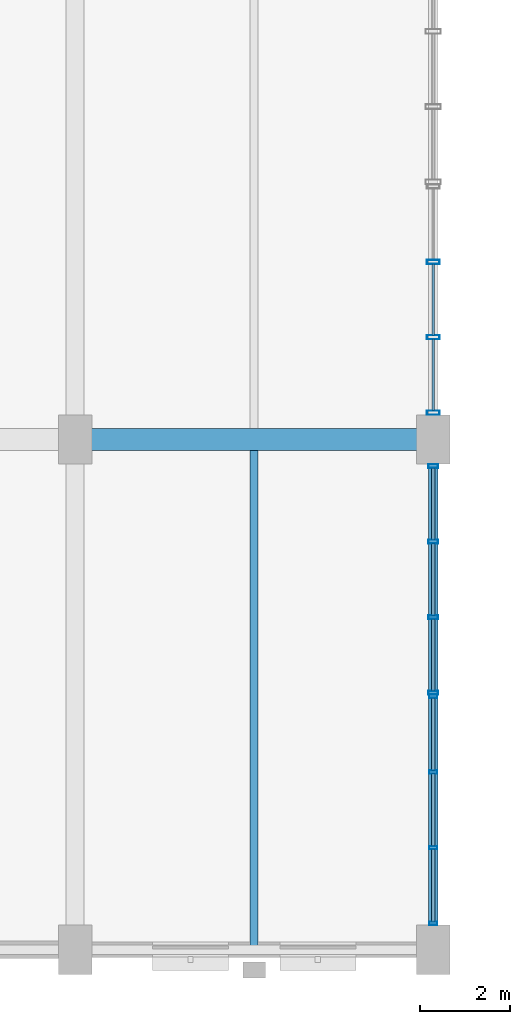
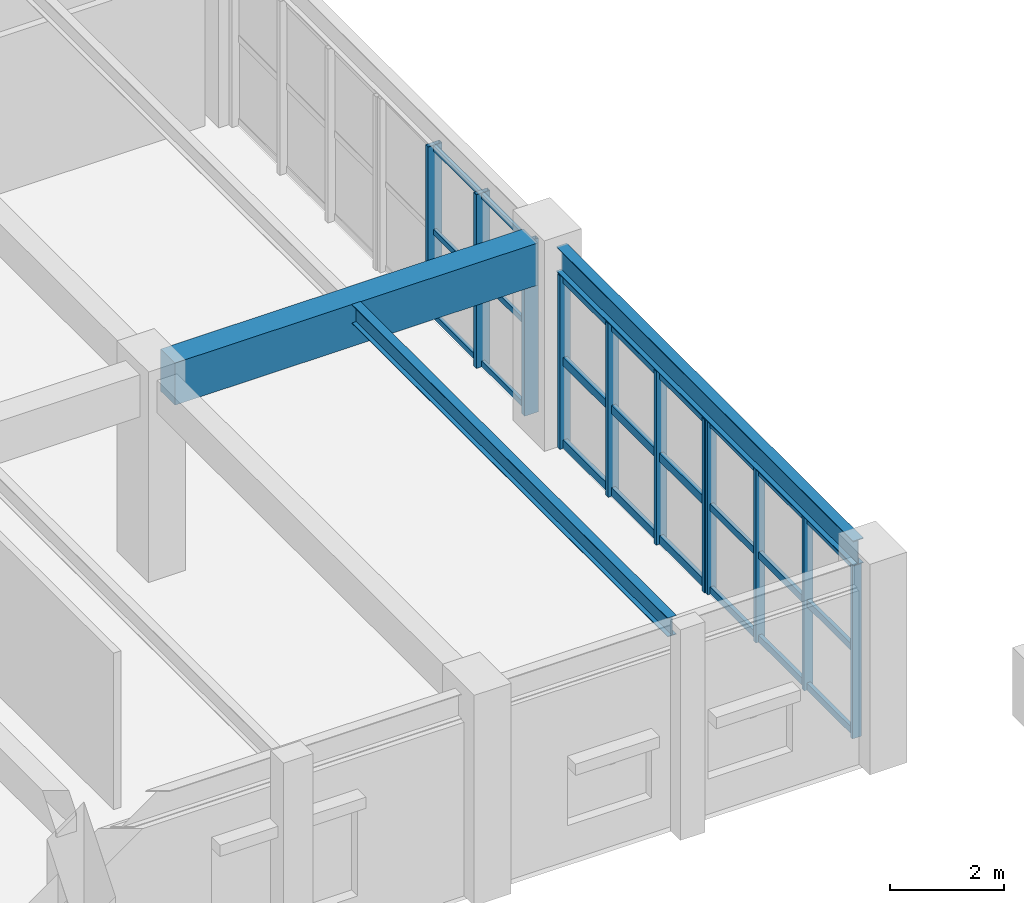
# One storey, part 10 of 80: 35 members, 3 beams, 3 elements without a shape of their own.
"""IFC4 building model written with IfcOpenShell, lengths in metres."""

from ifc_helpers import new_model, si_unit, direction, frame, origin, origin_2d, place, context, subcontext, project, spatial, rectangle, hollow_rectangle, i_section, extrude, material, layer, layer_set, material_profile, profile_set, type_object, element, aggregate, save


model = new_model("IFC4")

# Units and contexts
model_context = context("Model", 3, precision=1e-05, world=origin(), true_north=direction((0.0, 1.0)))
body_context = subcontext(model_context, "Body", "Model", "MODEL_VIEW")
ifc_project = project(units=[si_unit("LENGTHUNIT", "METRE"), si_unit("AREAUNIT", "SQUARE_METRE"), si_unit("VOLUMEUNIT", "CUBIC_METRE"), si_unit("PLANEANGLEUNIT", "RADIAN"), si_unit("MASSUNIT", "GRAM", prefix="KILO"), si_unit("POWERUNIT", "WATT"), si_unit("THERMODYNAMICTEMPERATUREUNIT", "KELVIN")], contexts=[model_context])

# Site, building, storey
site_placement = place(None, origin())
site = spatial("IfcSite", under=ifc_project, at=site_placement, CompositionType="ELEMENT")
building_placement = place(site_placement, origin())
building = spatial("IfcBuilding", under=site, at=building_placement, Name="Kelmbourne Parkland Aquatics Centre", CompositionType="ELEMENT")
storey_placement = place(building_placement, frame((0.0, 0.0, 10.199951171875)))
storey = spatial("IfcBuildingStorey", under=building, at=storey_placement, Name="L02", CompositionType="ELEMENT", Elevation=10.199951171875)

# Beams
ifc_material_1 = material(Name="Concrete C40/50", Category="concrete")
ifc_material_profile_1 = material_profile(ifc_material_1, rectangle(XDim=0.5, YDim=0.89990234375, at=origin_2d()), Name="RC 500x900")
ifc_profile_set_1 = profile_set([ifc_material_profile_1], Name="Concrete C40/50")
beam_type_1 = type_object("IfcBeamType", Name="BM-G03", PredefinedType="BEAM", material=ifc_profile_set_1)
beam_1_placement = place(storey_placement, frame((32.330078125, 12.199951171875, 3.81005859375), z_axis=(1.0, 0.0, 0.0), x_axis=(0.0, 1.0, 0.0)))
element("IfcBeam", 1, at=beam_1_placement, inside=storey, type_object=beam_type_1, Name="Primary girder E-F Grid 03 (L03)", PredefinedType="BEAM", context=body_context, shape_type="SweptSolid", body=[
    extrude(rectangle(XDim=0.5, YDim=0.89990234375, at=origin_2d()), origin(), (0.0, 0.0, 1.0), 7.33984375),
])
ifc_material_2 = material(Name="Structural steel AS/NZS 3679.1 Grade 300", Category="steel")
ifc_material_profile_2 = material_profile(ifc_material_2, i_section(OverallWidth=0.177978515625, OverallDepth=0.406005859375, WebThickness=0.0078125, FlangeThickness=0.0126953125, at=origin_2d()), Name="410UB59.7")
ifc_profile_set_2 = profile_set([ifc_material_profile_2], Name="Structural steel AS/NZS 3679.1 Grade 300")
beam_type_2 = type_object("IfcBeamType", Name="BM-J01", PredefinedType="JOIST", material=ifc_profile_set_2)
beam_2_placement = place(storey_placement, frame((36.0, 0.896484375, 4.05712890625), z_axis=(0.0, 1.0, 0.0), x_axis=(-1.0, 0.0, 0.0)))
element("IfcBeam", 2, at=beam_2_placement, inside=storey, type_object=beam_type_2, Name="Secondary floor joist E-F/01-03 #1 (L03)", PredefinedType="JOIST", context=body_context, shape_type="SweptSolid", body=[
    extrude(i_section(OverallWidth=0.177978515625, OverallDepth=0.406005859375, WebThickness=0.0078125, FlangeThickness=0.0126953125, at=origin_2d()), origin(), (0.0, 0.0, 1.0), 11.0615234375),
])
ifc_material_profile_3 = material_profile(ifc_material_2, i_section(OverallWidth=0.208984375, OverallDepth=0.532958984375, WebThickness=0.01025390625, FlangeThickness=0.015625, at=origin_2d()), Name="530UB92.4")
ifc_profile_set_3 = profile_set([ifc_material_profile_3], Name="Structural steel AS/NZS 3679.1 Grade 300")
beam_type_3 = type_object("IfcBeamType", Name="BM-SP02", PredefinedType="SPANDREL", material=ifc_profile_set_3)
beam_3_placement = place(storey_placement, frame((40.0, 1.304931640625, 3.99365234375), z_axis=(0.0, 1.0, 0.0), x_axis=(-1.0, 0.0, 0.0)))
element("IfcBeam", 3, at=beam_3_placement, inside=storey, type_object=beam_type_3, Name="Perimeter spandrel 01-03 Grid F (L03)", PredefinedType="SPANDREL", context=body_context, shape_type="SweptSolid", body=[
    extrude(i_section(OverallWidth=0.208984375, OverallDepth=0.532958984375, WebThickness=0.01025390625, FlangeThickness=0.015625, at=origin_2d()), origin(), (0.0, 0.0, 1.0), 10.39013671875),
])

# Curtain wall, members
ifc_material_3 = material(Name="Thermally broken anodised aluminium framing", Category="aluminium")
ifc_layer_1 = layer(ifc_material_3, 0.179931640625)
ifc_layer_set_1 = layer_set([ifc_layer_1], Name="Thermally broken anodised aluminium framing")
curtain_wall_type_1 = type_object("IfcCurtainWallType", Name="CW-01", PredefinedType="NOTDEFINED", material=ifc_layer_set_1)
curtain_wall_1_placement = place(storey_placement, origin())
curtain_wall_1 = element("IfcCurtainWall", 4, at=curtain_wall_1_placement, inside=storey, type_object=curtain_wall_type_1, Name="Facade curtain wall CW-L02-241", PredefinedType="NOTDEFINED")
ifc_material_profile_4 = material_profile(ifc_material_3, hollow_rectangle(XDim=0.074951171875, YDim=0.179931640625, WallThickness=0.00439453125, at=origin_2d()), Name="CW-M 75x180")
ifc_profile_set_4 = profile_set([ifc_material_profile_4], Name="Thermally broken anodised aluminium framing")
member_type_1 = type_object("IfcMemberType", Name="MB-MUL-2", PredefinedType="MULLION", material=ifc_profile_set_4)
member_1_placement = place(storey_placement, frame((40.0, 1.389404296875, 0.0), z_axis=(0.0, 0.0, 1.0), x_axis=(0.0, 1.0, 0.0)))
member_1 = element("IfcMember", 5, at=member_1_placement, type_object=member_type_1, Name="CW-L02-241 mullion 0", PredefinedType="MULLION", context=body_context, shape_type="SweptSolid", body=[
    extrude(hollow_rectangle(XDim=0.074951171875, YDim=0.179931640625, WallThickness=0.00439453125, at=origin_2d()), origin(), (0.0, 0.0, 1.0), 3.712158203125),
])
member_2_placement = place(storey_placement, frame((40.0, 3.08056640625, 0.0), z_axis=(0.0, 0.0, 1.0), x_axis=(0.0, 1.0, 0.0)))
member_2 = element("IfcMember", 6, at=member_2_placement, type_object=member_type_1, Name="CW-L02-241 mullion 1", PredefinedType="MULLION", context=body_context, shape_type="SweptSolid", body=[
    extrude(hollow_rectangle(XDim=0.074951171875, YDim=0.179931640625, WallThickness=0.00439453125, at=origin_2d()), origin(), (0.0, 0.0, 1.0), 3.712158203125),
])
member_3_placement = place(storey_placement, frame((40.0, 4.771484375, 0.0), z_axis=(0.0, 0.0, 1.0), x_axis=(0.0, 1.0, 0.0)))
member_3 = element("IfcMember", 7, at=member_3_placement, type_object=member_type_1, Name="CW-L02-241 mullion 2", PredefinedType="MULLION", context=body_context, shape_type="SweptSolid", body=[
    extrude(hollow_rectangle(XDim=0.074951171875, YDim=0.179931640625, WallThickness=0.00439453125, at=origin_2d()), origin(), (0.0, 0.0, 1.0), 3.712158203125),
])
member_4_placement = place(storey_placement, frame((40.0, 6.46240234375, 0.0), z_axis=(0.0, 0.0, 1.0), x_axis=(0.0, 1.0, 0.0)))
member_4 = element("IfcMember", 8, at=member_4_placement, type_object=member_type_1, Name="CW-L02-241 mullion 3", PredefinedType="MULLION", context=body_context, shape_type="SweptSolid", body=[
    extrude(hollow_rectangle(XDim=0.074951171875, YDim=0.179931640625, WallThickness=0.00439453125, at=origin_2d()), origin(), (0.0, 0.0, 1.0), 3.712158203125),
])

ifc_layer_2 = layer(ifc_material_3, 0.179931640625)
ifc_layer_set_2 = layer_set([ifc_layer_2], Name="Thermally broken anodised aluminium framing")
curtain_wall_type_2 = type_object("IfcCurtainWallType", Name="CW-02", PredefinedType="NOTDEFINED", material=ifc_layer_set_2)
curtain_wall_2_placement = place(storey_placement, origin())
curtain_wall_2 = element("IfcCurtainWall", 9, at=curtain_wall_2_placement, inside=storey, type_object=curtain_wall_type_2, Name="Facade curtain wall CW-L02-242", PredefinedType="NOTDEFINED")
ifc_material_profile_5 = material_profile(ifc_material_3, hollow_rectangle(XDim=0.0849609375, YDim=0.219970703125, WallThickness=0.0048828125, at=origin_2d()), Name="CW-M 85x220")
ifc_profile_set_5 = profile_set([ifc_material_profile_5], Name="Thermally broken anodised aluminium framing")
member_type_2 = type_object("IfcMemberType", Name="MB-MUL-3", PredefinedType="MULLION", material=ifc_profile_set_5)
member_5_placement = place(storey_placement, frame((40.0, 6.54248046875, 0.0), z_axis=(0.0, 0.0, 1.0), x_axis=(0.0, 1.0, 0.0)))
member_5 = element("IfcMember", 10, at=member_5_placement, type_object=member_type_2, Name="CW-L02-242 mullion 0", PredefinedType="MULLION", context=body_context, shape_type="SweptSolid", body=[
    extrude(hollow_rectangle(XDim=0.0849609375, YDim=0.219970703125, WallThickness=0.0048828125, at=origin_2d()), origin(), (0.0, 0.0, 1.0), 3.712158203125),
])
member_6_placement = place(storey_placement, frame((40.0, 8.230224609375, 0.0), z_axis=(0.0, 0.0, 1.0), x_axis=(0.0, 1.0, 0.0)))
member_6 = element("IfcMember", 11, at=member_6_placement, type_object=member_type_2, Name="CW-L02-242 mullion 1", PredefinedType="MULLION", context=body_context, shape_type="SweptSolid", body=[
    extrude(hollow_rectangle(XDim=0.0849609375, YDim=0.219970703125, WallThickness=0.0048828125, at=origin_2d()), origin(), (0.0, 0.0, 1.0), 3.712158203125),
])
member_7_placement = place(storey_placement, frame((40.0, 9.917724609375, 0.0), z_axis=(0.0, 0.0, 1.0), x_axis=(0.0, 1.0, 0.0)))
member_7 = element("IfcMember", 12, at=member_7_placement, type_object=member_type_2, Name="CW-L02-242 mullion 2", PredefinedType="MULLION", context=body_context, shape_type="SweptSolid", body=[
    extrude(hollow_rectangle(XDim=0.0849609375, YDim=0.219970703125, WallThickness=0.0048828125, at=origin_2d()), origin(), (0.0, 0.0, 1.0), 3.712158203125),
])
member_8_placement = place(storey_placement, frame((40.0, 11.60546875, 0.0), z_axis=(0.0, 0.0, 1.0), x_axis=(0.0, 1.0, 0.0)))
member_8 = element("IfcMember", 13, at=member_8_placement, type_object=member_type_2, Name="CW-L02-242 mullion 3", PredefinedType="MULLION", context=body_context, shape_type="SweptSolid", body=[
    extrude(hollow_rectangle(XDim=0.0849609375, YDim=0.219970703125, WallThickness=0.0048828125, at=origin_2d()), origin(), (0.0, 0.0, 1.0), 3.712158203125),
])

ifc_layer_3 = layer(ifc_material_3, 0.179931640625)
ifc_layer_set_3 = layer_set([ifc_layer_3], Name="Thermally broken anodised aluminium framing")
curtain_wall_type_3 = type_object("IfcCurtainWallType", Name="CW-03", PredefinedType="NOTDEFINED", material=ifc_layer_set_3)
curtain_wall_3_placement = place(storey_placement, origin())
curtain_wall_3 = element("IfcCurtainWall", 14, at=curtain_wall_3_placement, inside=storey, type_object=curtain_wall_type_3, Name="Facade curtain wall CW-L02-243", PredefinedType="NOTDEFINED")
ifc_material_profile_6 = material_profile(ifc_material_3, hollow_rectangle(XDim=0.094970703125, YDim=0.280029296875, WallThickness=0.005615234375, at=origin_2d()), Name="CW-M 95x280")
ifc_profile_set_6 = profile_set([ifc_material_profile_6], Name="Thermally broken anodised aluminium framing")
member_type_3 = type_object("IfcMemberType", Name="MB-MUL-4", PredefinedType="MULLION", material=ifc_profile_set_6)
member_9_placement = place(storey_placement, frame((40.0, 12.799560546875, 0.0), z_axis=(0.0, 0.0, 1.0), x_axis=(0.0, 1.0, 0.0)))
member_9 = element("IfcMember", 15, at=member_9_placement, type_object=member_type_3, Name="CW-L02-243 mullion 0", PredefinedType="MULLION", context=body_context, shape_type="SweptSolid", body=[
    extrude(hollow_rectangle(XDim=0.094970703125, YDim=0.280029296875, WallThickness=0.005615234375, at=origin_2d()), origin(), (0.0, 0.0, 1.0), 3.712158203125),
])
member_10_placement = place(storey_placement, frame((40.0, 14.48388671875, 0.0), z_axis=(0.0, 0.0, 1.0), x_axis=(0.0, 1.0, 0.0)))
member_10 = element("IfcMember", 16, at=member_10_placement, type_object=member_type_3, Name="CW-L02-243 mullion 1", PredefinedType="MULLION", context=body_context, shape_type="SweptSolid", body=[
    extrude(hollow_rectangle(XDim=0.094970703125, YDim=0.280029296875, WallThickness=0.005615234375, at=origin_2d()), origin(), (0.0, 0.0, 1.0), 3.712158203125),
])
member_11_placement = place(storey_placement, frame((40.0, 16.168212890625, 0.0), z_axis=(0.0, 0.0, 1.0), x_axis=(0.0, 1.0, 0.0)))
member_11 = element("IfcMember", 17, at=member_11_placement, type_object=member_type_3, Name="CW-L02-243 mullion 2", PredefinedType="MULLION", context=body_context, shape_type="SweptSolid", body=[
    extrude(hollow_rectangle(XDim=0.094970703125, YDim=0.280029296875, WallThickness=0.005615234375, at=origin_2d()), origin(), (0.0, 0.0, 1.0), 3.712158203125),
])
ifc_material_profile_7 = material_profile(ifc_material_3, hollow_rectangle(XDim=0.06494140625, YDim=0.1201171875, WallThickness=0.00341796875, at=origin_2d()), Name="CW-T 65x120")
ifc_profile_set_7 = profile_set([ifc_material_profile_7], Name="Thermally broken anodised aluminium framing")
member_type_4 = type_object("IfcMemberType", Name="MB-TRN-1", PredefinedType="USERDEFINED", material=ifc_profile_set_7)
member_12_placement = place(storey_placement, frame((40.0, 12.843017578125, 0.06298828125), z_axis=(0.0, 1.0, 0.0), x_axis=(-1.0, 0.0, 0.0)))
member_12 = element("IfcMember", 18, at=member_12_placement, type_object=member_type_4, Name="CW-L02-243 transom 0-0", ObjectType="TRANSOM", PredefinedType="USERDEFINED", context=body_context, shape_type="SweptSolid", body=[
    extrude(hollow_rectangle(XDim=0.06494140625, YDim=0.1201171875, WallThickness=0.00341796875, at=origin_2d()), origin(), (0.0, 0.0, 1.0), 1.59716796875),
])
member_13_placement = place(storey_placement, frame((40.0, 14.52734375, 0.06298828125), z_axis=(0.0, 1.0, 0.0), x_axis=(-1.0, 0.0, 0.0)))
member_13 = element("IfcMember", 19, at=member_13_placement, type_object=member_type_4, Name="CW-L02-243 transom 0-1", ObjectType="TRANSOM", PredefinedType="USERDEFINED", context=body_context, shape_type="SweptSolid", body=[
    extrude(hollow_rectangle(XDim=0.06494140625, YDim=0.1201171875, WallThickness=0.00341796875, at=origin_2d()), origin(), (0.0, 0.0, 1.0), 1.597412109375),
])
member_14_placement = place(storey_placement, frame((40.0, 12.843017578125, 1.85595703125), z_axis=(0.0, 1.0, 0.0), x_axis=(-1.0, 0.0, 0.0)))
member_14 = element("IfcMember", 20, at=member_14_placement, type_object=member_type_4, Name="CW-L02-243 transom 1-0", ObjectType="TRANSOM", PredefinedType="USERDEFINED", context=body_context, shape_type="SweptSolid", body=[
    extrude(hollow_rectangle(XDim=0.06494140625, YDim=0.1201171875, WallThickness=0.00341796875, at=origin_2d()), origin(), (0.0, 0.0, 1.0), 1.59716796875),
])
member_15_placement = place(storey_placement, frame((40.0, 14.52734375, 1.85595703125), z_axis=(0.0, 1.0, 0.0), x_axis=(-1.0, 0.0, 0.0)))
member_15 = element("IfcMember", 21, at=member_15_placement, type_object=member_type_4, Name="CW-L02-243 transom 1-1", ObjectType="TRANSOM", PredefinedType="USERDEFINED", context=body_context, shape_type="SweptSolid", body=[
    extrude(hollow_rectangle(XDim=0.06494140625, YDim=0.1201171875, WallThickness=0.00341796875, at=origin_2d()), origin(), (0.0, 0.0, 1.0), 1.597412109375),
])
member_16_placement = place(storey_placement, frame((40.0, 12.843017578125, 3.649169921875), z_axis=(0.0, 1.0, 0.0), x_axis=(-1.0, 0.0, 0.0)))
member_16 = element("IfcMember", 22, at=member_16_placement, type_object=member_type_4, Name="CW-L02-243 transom 2-0", ObjectType="TRANSOM", PredefinedType="USERDEFINED", context=body_context, shape_type="SweptSolid", body=[
    extrude(hollow_rectangle(XDim=0.06494140625, YDim=0.1201171875, WallThickness=0.00341796875, at=origin_2d()), origin(), (0.0, 0.0, 1.0), 1.59716796875),
])
member_17_placement = place(storey_placement, frame((40.0, 14.52734375, 3.649169921875), z_axis=(0.0, 1.0, 0.0), x_axis=(-1.0, 0.0, 0.0)))
member_17 = element("IfcMember", 23, at=member_17_placement, type_object=member_type_4, Name="CW-L02-243 transom 2-1", ObjectType="TRANSOM", PredefinedType="USERDEFINED", context=body_context, shape_type="SweptSolid", body=[
    extrude(hollow_rectangle(XDim=0.06494140625, YDim=0.1201171875, WallThickness=0.00341796875, at=origin_2d()), origin(), (0.0, 0.0, 1.0), 1.597412109375),
])
aggregate(curtain_wall_3, [member_9, member_10, member_11, member_12, member_13, member_14, member_15, member_16, member_17])

# Member
ifc_material_profile_8 = material_profile(ifc_material_3, hollow_rectangle(XDim=0.074951171875, YDim=0.14990234375, WallThickness=0.00390625, at=origin_2d()), Name="CW-T 75x150")
ifc_profile_set_8 = profile_set([ifc_material_profile_8], Name="Thermally broken anodised aluminium framing")
member_type_5 = type_object("IfcMemberType", Name="MB-TRN-2", PredefinedType="USERDEFINED", material=ifc_profile_set_8)
member_18_placement = place(storey_placement, frame((40.0, 1.423095703125, 0.078125), z_axis=(0.0, 1.0, 0.0), x_axis=(-1.0, 0.0, 0.0)))
member_18 = element("IfcMember", 24, at=member_18_placement, type_object=member_type_5, Name="CW-L02-241 transom 0-0", ObjectType="TRANSOM", PredefinedType="USERDEFINED", context=body_context, shape_type="SweptSolid", body=[
    extrude(hollow_rectangle(XDim=0.074951171875, YDim=0.14990234375, WallThickness=0.00390625, at=origin_2d()), origin(), (0.0, 0.0, 1.0), 1.6240234375),
])

member_19_placement = place(storey_placement, frame((40.0, 3.114013671875, 0.078125), z_axis=(0.0, 1.0, 0.0), x_axis=(-1.0, 0.0, 0.0)))
member_19 = element("IfcMember", 25, at=member_19_placement, type_object=member_type_5, Name="CW-L02-241 transom 0-1", ObjectType="TRANSOM", PredefinedType="USERDEFINED", context=body_context, shape_type="SweptSolid", body=[
    extrude(hollow_rectangle(XDim=0.074951171875, YDim=0.14990234375, WallThickness=0.00390625, at=origin_2d()), origin(), (0.0, 0.0, 1.0), 1.6240234375),
])

member_20_placement = place(storey_placement, frame((40.0, 4.804931640625, 0.078125), z_axis=(0.0, 1.0, 0.0), x_axis=(-1.0, 0.0, 0.0)))
member_20 = element("IfcMember", 26, at=member_20_placement, type_object=member_type_5, Name="CW-L02-241 transom 0-2", ObjectType="TRANSOM", PredefinedType="USERDEFINED", context=body_context, shape_type="SweptSolid", body=[
    extrude(hollow_rectangle(XDim=0.074951171875, YDim=0.14990234375, WallThickness=0.00390625, at=origin_2d()), origin(), (0.0, 0.0, 1.0), 1.6240234375),
])

member_21_placement = place(storey_placement, frame((40.0, 1.423095703125, 1.85595703125), z_axis=(0.0, 1.0, 0.0), x_axis=(-1.0, 0.0, 0.0)))
member_21 = element("IfcMember", 27, at=member_21_placement, type_object=member_type_5, Name="CW-L02-241 transom 1-0", ObjectType="TRANSOM", PredefinedType="USERDEFINED", context=body_context, shape_type="SweptSolid", body=[
    extrude(hollow_rectangle(XDim=0.074951171875, YDim=0.14990234375, WallThickness=0.00390625, at=origin_2d()), origin(), (0.0, 0.0, 1.0), 1.6240234375),
])

member_22_placement = place(storey_placement, frame((40.0, 3.114013671875, 1.85595703125), z_axis=(0.0, 1.0, 0.0), x_axis=(-1.0, 0.0, 0.0)))
member_22 = element("IfcMember", 28, at=member_22_placement, type_object=member_type_5, Name="CW-L02-241 transom 1-1", ObjectType="TRANSOM", PredefinedType="USERDEFINED", context=body_context, shape_type="SweptSolid", body=[
    extrude(hollow_rectangle(XDim=0.074951171875, YDim=0.14990234375, WallThickness=0.00390625, at=origin_2d()), origin(), (0.0, 0.0, 1.0), 1.6240234375),
])

member_23_placement = place(storey_placement, frame((40.0, 4.804931640625, 1.85595703125), z_axis=(0.0, 1.0, 0.0), x_axis=(-1.0, 0.0, 0.0)))
member_23 = element("IfcMember", 29, at=member_23_placement, type_object=member_type_5, Name="CW-L02-241 transom 1-2", ObjectType="TRANSOM", PredefinedType="USERDEFINED", context=body_context, shape_type="SweptSolid", body=[
    extrude(hollow_rectangle(XDim=0.074951171875, YDim=0.14990234375, WallThickness=0.00390625, at=origin_2d()), origin(), (0.0, 0.0, 1.0), 1.6240234375),
])

member_24_placement = place(storey_placement, frame((40.0, 1.423095703125, 3.634033203125), z_axis=(0.0, 1.0, 0.0), x_axis=(-1.0, 0.0, 0.0)))
member_24 = element("IfcMember", 30, at=member_24_placement, type_object=member_type_5, Name="CW-L02-241 transom 2-0", ObjectType="TRANSOM", PredefinedType="USERDEFINED", context=body_context, shape_type="SweptSolid", body=[
    extrude(hollow_rectangle(XDim=0.074951171875, YDim=0.14990234375, WallThickness=0.00390625, at=origin_2d()), origin(), (0.0, 0.0, 1.0), 1.6240234375),
])

member_25_placement = place(storey_placement, frame((40.0, 3.114013671875, 3.634033203125), z_axis=(0.0, 1.0, 0.0), x_axis=(-1.0, 0.0, 0.0)))
member_25 = element("IfcMember", 31, at=member_25_placement, type_object=member_type_5, Name="CW-L02-241 transom 2-1", ObjectType="TRANSOM", PredefinedType="USERDEFINED", context=body_context, shape_type="SweptSolid", body=[
    extrude(hollow_rectangle(XDim=0.074951171875, YDim=0.14990234375, WallThickness=0.00390625, at=origin_2d()), origin(), (0.0, 0.0, 1.0), 1.6240234375),
])

member_26_placement = place(storey_placement, frame((40.0, 4.804931640625, 3.634033203125), z_axis=(0.0, 1.0, 0.0), x_axis=(-1.0, 0.0, 0.0)))
member_26 = element("IfcMember", 32, at=member_26_placement, type_object=member_type_5, Name="CW-L02-241 transom 2-2", ObjectType="TRANSOM", PredefinedType="USERDEFINED", context=body_context, shape_type="SweptSolid", body=[
    extrude(hollow_rectangle(XDim=0.074951171875, YDim=0.14990234375, WallThickness=0.00390625, at=origin_2d()), origin(), (0.0, 0.0, 1.0), 1.6240234375),
])

aggregate(curtain_wall_1, [member_1, member_2, member_3, member_4, member_18, member_19, member_20, member_21, member_22, member_23, member_24, member_25, member_26])

ifc_material_profile_9 = material_profile(ifc_material_3, hollow_rectangle(XDim=0.0849609375, YDim=0.179931640625, WallThickness=0.00439453125, at=origin_2d()), Name="CW-T 85x180")
ifc_profile_set_9 = profile_set([ifc_material_profile_9], Name="Thermally broken anodised aluminium framing")
member_type_6 = type_object("IfcMemberType", Name="MB-TRN-3", PredefinedType="USERDEFINED", material=ifc_profile_set_9)
member_27_placement = place(storey_placement, frame((40.0, 6.5810546875, 0.093017578125), z_axis=(0.0, 1.0, 0.0), x_axis=(-1.0, 0.0, 0.0)))
member_27 = element("IfcMember", 33, at=member_27_placement, type_object=member_type_6, Name="CW-L02-242 transom 0-0", ObjectType="TRANSOM", PredefinedType="USERDEFINED", context=body_context, shape_type="SweptSolid", body=[
    extrude(hollow_rectangle(XDim=0.0849609375, YDim=0.179931640625, WallThickness=0.00439453125, at=origin_2d()), origin(), (0.0, 0.0, 1.0), 1.610595703125),
])

member_28_placement = place(storey_placement, frame((40.0, 8.268798828125, 0.093017578125), z_axis=(0.0, 1.0, 0.0), x_axis=(-1.0, 0.0, 0.0)))
member_28 = element("IfcMember", 34, at=member_28_placement, type_object=member_type_6, Name="CW-L02-242 transom 0-1", ObjectType="TRANSOM", PredefinedType="USERDEFINED", context=body_context, shape_type="SweptSolid", body=[
    extrude(hollow_rectangle(XDim=0.0849609375, YDim=0.179931640625, WallThickness=0.00439453125, at=origin_2d()), origin(), (0.0, 0.0, 1.0), 1.610595703125),
])

member_29_placement = place(storey_placement, frame((40.0, 9.956298828125, 0.093017578125), z_axis=(0.0, 1.0, 0.0), x_axis=(-1.0, 0.0, 0.0)))
member_29 = element("IfcMember", 35, at=member_29_placement, type_object=member_type_6, Name="CW-L02-242 transom 0-2", ObjectType="TRANSOM", PredefinedType="USERDEFINED", context=body_context, shape_type="SweptSolid", body=[
    extrude(hollow_rectangle(XDim=0.0849609375, YDim=0.179931640625, WallThickness=0.00439453125, at=origin_2d()), origin(), (0.0, 0.0, 1.0), 1.610595703125),
])

member_30_placement = place(storey_placement, frame((40.0, 6.5810546875, 1.85595703125), z_axis=(0.0, 1.0, 0.0), x_axis=(-1.0, 0.0, 0.0)))
member_30 = element("IfcMember", 36, at=member_30_placement, type_object=member_type_6, Name="CW-L02-242 transom 1-0", ObjectType="TRANSOM", PredefinedType="USERDEFINED", context=body_context, shape_type="SweptSolid", body=[
    extrude(hollow_rectangle(XDim=0.0849609375, YDim=0.179931640625, WallThickness=0.00439453125, at=origin_2d()), origin(), (0.0, 0.0, 1.0), 1.610595703125),
])

member_31_placement = place(storey_placement, frame((40.0, 8.268798828125, 1.85595703125), z_axis=(0.0, 1.0, 0.0), x_axis=(-1.0, 0.0, 0.0)))
member_31 = element("IfcMember", 37, at=member_31_placement, type_object=member_type_6, Name="CW-L02-242 transom 1-1", ObjectType="TRANSOM", PredefinedType="USERDEFINED", context=body_context, shape_type="SweptSolid", body=[
    extrude(hollow_rectangle(XDim=0.0849609375, YDim=0.179931640625, WallThickness=0.00439453125, at=origin_2d()), origin(), (0.0, 0.0, 1.0), 1.610595703125),
])

member_32_placement = place(storey_placement, frame((40.0, 9.956298828125, 1.85595703125), z_axis=(0.0, 1.0, 0.0), x_axis=(-1.0, 0.0, 0.0)))
member_32 = element("IfcMember", 38, at=member_32_placement, type_object=member_type_6, Name="CW-L02-242 transom 1-2", ObjectType="TRANSOM", PredefinedType="USERDEFINED", context=body_context, shape_type="SweptSolid", body=[
    extrude(hollow_rectangle(XDim=0.0849609375, YDim=0.179931640625, WallThickness=0.00439453125, at=origin_2d()), origin(), (0.0, 0.0, 1.0), 1.610595703125),
])

member_33_placement = place(storey_placement, frame((40.0, 6.5810546875, 3.619140625), z_axis=(0.0, 1.0, 0.0), x_axis=(-1.0, 0.0, 0.0)))
member_33 = element("IfcMember", 39, at=member_33_placement, type_object=member_type_6, Name="CW-L02-242 transom 2-0", ObjectType="TRANSOM", PredefinedType="USERDEFINED", context=body_context, shape_type="SweptSolid", body=[
    extrude(hollow_rectangle(XDim=0.0849609375, YDim=0.179931640625, WallThickness=0.00439453125, at=origin_2d()), origin(), (0.0, 0.0, 1.0), 1.610595703125),
])

member_34_placement = place(storey_placement, frame((40.0, 8.268798828125, 3.619140625), z_axis=(0.0, 1.0, 0.0), x_axis=(-1.0, 0.0, 0.0)))
member_34 = element("IfcMember", 40, at=member_34_placement, type_object=member_type_6, Name="CW-L02-242 transom 2-1", ObjectType="TRANSOM", PredefinedType="USERDEFINED", context=body_context, shape_type="SweptSolid", body=[
    extrude(hollow_rectangle(XDim=0.0849609375, YDim=0.179931640625, WallThickness=0.00439453125, at=origin_2d()), origin(), (0.0, 0.0, 1.0), 1.610595703125),
])

member_35_placement = place(storey_placement, frame((40.0, 9.956298828125, 3.619140625), z_axis=(0.0, 1.0, 0.0), x_axis=(-1.0, 0.0, 0.0)))
member_35 = element("IfcMember", 41, at=member_35_placement, type_object=member_type_6, Name="CW-L02-242 transom 2-2", ObjectType="TRANSOM", PredefinedType="USERDEFINED", context=body_context, shape_type="SweptSolid", body=[
    extrude(hollow_rectangle(XDim=0.0849609375, YDim=0.179931640625, WallThickness=0.00439453125, at=origin_2d()), origin(), (0.0, 0.0, 1.0), 1.610595703125),
])

aggregate(curtain_wall_2, [member_5, member_6, member_7, member_8, member_27, member_28, member_29, member_30, member_31, member_32, member_33, member_34, member_35])

save(model, "model.ifc")
